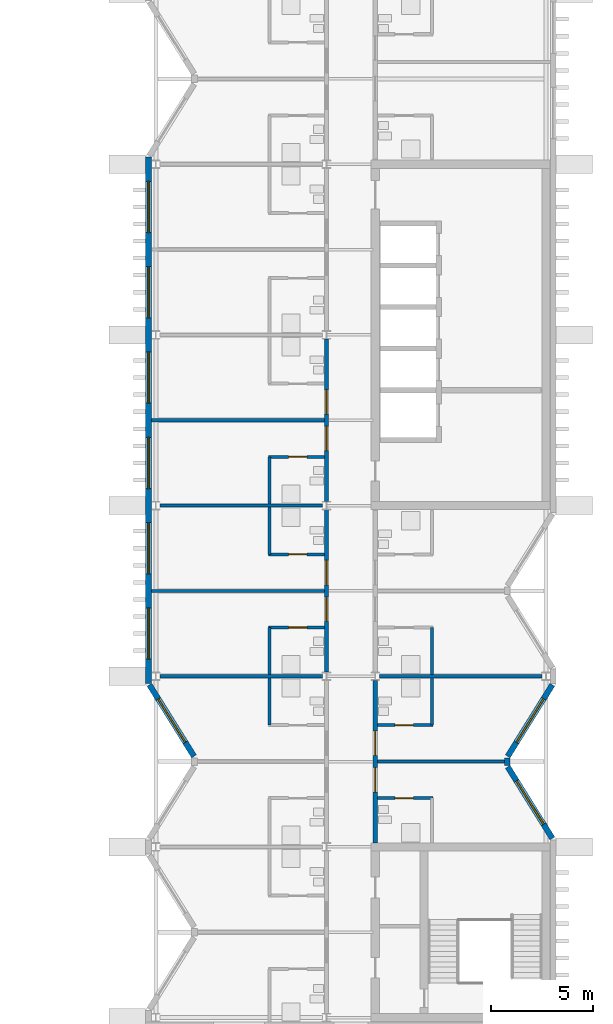
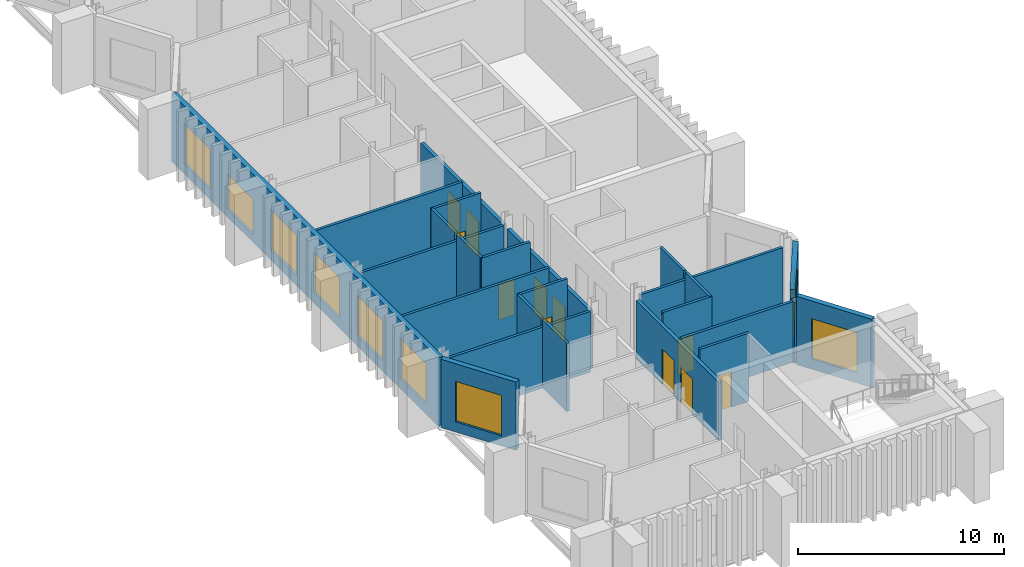
# One storey, part 10 of 17: 25 walls, 11 doors, 9 windows, 20 openings.
"""IFC4 building model written with IfcOpenShell, lengths in metres."""

import ifcopenshell
import ifcopenshell.guid

model = None  # the IFC model being written
_history = None  # IfcOwnerHistory: only IFC2X3 demands one
_inside = {}  # id of a spatial element -> (the spatial element, [elements in it])
_under = {}  # id of a project, library or spatial element -> (it, [spatial elements below it])
_declared = {}  # id of a project -> (the project, [libraries it declares])
_typed = {}  # id of a type object -> (the type object, [elements of that type])
_made_of = {}  # id of a material, layer set ... -> (it, [elements and type objects made of it])


def new_model(schema):
    """Start an empty IFC model of exactly this schema.

    Asked for "IFC4X3", IfcOpenShell would pick the latest addendum, in which some entities
    have other attributes; the version numbers below select the first issue.
    IFC2X3 requires an IfcOwnerHistory on every rooted entity: one is made here for all.
    """
    global model, _history
    if schema == "IFC4X3":
        model = ifcopenshell.file(schema_version=(4, 3, 0, 0))
    else:
        model = ifcopenshell.file(schema=schema)
    _inside.clear()
    _under.clear()
    _declared.clear()
    _typed.clear()
    _made_of.clear()
    _history = None
    if model.schema == "IFC2X3":
        org = make("IfcOrganization", Name="unknown")
        user = make(
            "IfcPersonAndOrganization",
            ThePerson=make("IfcPerson", FamilyName="unknown"),
            TheOrganization=org,
        )
        app = make(
            "IfcApplication",
            ApplicationDeveloper=org,
            Version="unknown",
            ApplicationFullName="unknown",
            ApplicationIdentifier="unknown",
        )
        _history = make(
            "IfcOwnerHistory",
            OwningUser=user,
            OwningApplication=app,
            ChangeAction="ADDED",
            CreationDate=0,
        )
    return model


def make(cls, **values):
    """One entity of the class cls with the attributes given. An attribute that is None is left unset."""
    return model.create_entity(
        cls, **{name: value for name, value in values.items() if value is not None}
    )


def rooted(cls, **values):
    """An entity with a GlobalId (a new one), such as an element, a storey or a relation."""
    return make(cls, GlobalId=ifcopenshell.guid.new(), OwnerHistory=_history, **values)


def si_unit(unit_type, name, prefix=None):
    """IfcSIUnit, for example si_unit("LENGTHUNIT", "METRE", prefix="MILLI")."""
    return make("IfcSIUnit", UnitType=unit_type, Prefix=prefix, Name=name)


def assignment(units):
    """IfcUnitAssignment: the units of a project."""
    return None if units is None else make("IfcUnitAssignment", Units=units)


def point(xyz):
    """IfcCartesianPoint."""
    return None if xyz is None else make("IfcCartesianPoint", Coordinates=xyz)


def direction(xyz):
    """IfcDirection."""
    return None if xyz is None else make("IfcDirection", DirectionRatios=xyz)


def frame(location, z_axis=None, x_axis=None):
    """IfcAxis2Placement3D, a coordinate frame: its origin and axes. An axis left out is left unset."""
    return make(
        "IfcAxis2Placement3D",
        Location=point(location),
        Axis=direction(z_axis),
        RefDirection=direction(x_axis),
    )


def frame_2d(location, x_axis=None):
    """IfcAxis2Placement2D, a coordinate frame in the plane: its origin and x axis."""
    return make(
        "IfcAxis2Placement2D", Location=point(location), RefDirection=direction(x_axis)
    )


def origin():
    """The frame at (0, 0, 0) with its axes left unset."""
    return frame((0.0, 0.0, 0.0))


def place(relative_to, where):
    """IfcLocalPlacement: puts the frame where relative to a parent placement (None: the world)."""
    return make(
        "IfcLocalPlacement", PlacementRelTo=relative_to, RelativePlacement=where
    )


def context(
    kind, dimensions, precision=None, world=None, true_north=None, identifier=None
):
    """IfcGeometricRepresentationContext, for example the 3D "Model" context."""
    return make(
        "IfcGeometricRepresentationContext",
        ContextIdentifier=identifier,
        ContextType=kind,
        CoordinateSpaceDimension=dimensions,
        Precision=precision,
        WorldCoordinateSystem=world,
        TrueNorth=true_north,
    )


def subcontext(parent, identifier, kind, view, scale=None):
    """IfcGeometricRepresentationSubContext, for example "Body" below "Model"."""
    return make(
        "IfcGeometricRepresentationSubContext",
        ContextIdentifier=identifier,
        ContextType=kind,
        ParentContext=parent,
        TargetScale=scale,
        TargetView=view,
    )


def project(units=None, contexts=None):
    """IfcProject with its units and contexts."""
    return rooted(
        "IfcProject",
        Name="project",
        RepresentationContexts=contexts,
        UnitsInContext=assignment(units),
    )


def spatial(cls, under=None, at=None, **own):
    """A site, building, storey or space (cls), placed at a placement, below another one or the project."""
    s = rooted(cls, ObjectPlacement=at, **own)
    if under is not None:
        _under.setdefault(under.id(), (under, []))[1].append(s)
    return s


def profile(cls, at=None, kind="AREA", **sizes):
    """A parametric profile (cls). Its sizes go by their IFC names, for example OverallWidth=200.0."""
    return make(cls, ProfileType=kind, Position=at, **sizes)


def rectangle(**sizes):
    """IfcRectangleProfileDef."""
    return profile("IfcRectangleProfileDef", **sizes)


def extrude(swept, where, along, depth):
    """IfcExtrudedAreaSolid: the profile swept, set in the frame where, extruded along a direction by depth."""
    return make(
        "IfcExtrudedAreaSolid",
        SweptArea=swept,
        Position=where,
        ExtrudedDirection=direction(along),
        Depth=depth,
    )


def shape(context_of_items, identifier, shape_type, items):
    """IfcShapeRepresentation: the items that make up one representation, for example the "Body"."""
    return make(
        "IfcShapeRepresentation",
        ContextOfItems=context_of_items,
        RepresentationIdentifier=identifier,
        RepresentationType=shape_type,
        Items=items,
    )


def material(Name=None, Category=None):
    """IfcMaterial."""
    return make("IfcMaterial", Name=Name, Category=Category)


def layer(
    of_material, thickness, ventilated=None, Name=None, Category=None, Priority=None
):
    """IfcMaterialLayer: one layer of a wall or slab, of a material (None: an air gap)."""
    return make(
        "IfcMaterialLayer",
        Material=of_material,
        LayerThickness=thickness,
        IsVentilated=ventilated,
        Name=Name,
        Category=Category,
        Priority=Priority,
    )


def layer_set(layers, Name=None):
    """IfcMaterialLayerSet."""
    return make("IfcMaterialLayerSet", MaterialLayers=layers, LayerSetName=Name)


def made_of(thing, what):
    """Note that an element or type object is made of a material, layer set ...; save() writes the relation."""
    if what is not None:
        _made_of.setdefault(what.id(), (what, []))[1].append(thing)
    return thing


def type_object(cls, material=None, **own):
    """A type object (cls), such as IfcWallType, which elements share."""
    return made_of(rooted(cls, **own), material)


def element(
    cls,
    number,
    at=None,
    inside=None,
    cuts=None,
    type_object=None,
    material=None,
    context=None,
    identifier="Body",
    shape_type=None,
    held_by="IfcProductDefinitionShape",
    body=None,
    shapes=None,
    **own,
):
    """One element of the class cls, such as IfcWall. Its Tag is "e" and its number.

    at: its placement. inside: the storey or other place that contains it. cuts: it is an
    opening in that element (IfcRelVoidsElement). A single representation is given by context,
    identifier, shape_type and body (its items); several are given by shapes. held_by: the class
    of the entity that holds the representations. save() writes the other relations.
    """
    e = rooted(cls, Tag="e%d" % number, ObjectPlacement=at, **own)
    if body is not None:
        shapes = [shape(context, identifier, shape_type, body)]
    if shapes is not None:
        e.Representation = make(held_by, Representations=shapes)
    if inside is not None:
        _inside.setdefault(inside.id(), (inside, []))[1].append(e)
    if cuts is not None:
        rooted(
            "IfcRelVoidsElement", RelatingBuildingElement=cuts, RelatedOpeningElement=e
        )
    if type_object is not None:
        _typed.setdefault(type_object.id(), (type_object, []))[1].append(e)
    return made_of(e, material)


def fill(opening, filler):
    """IfcRelFillsElement: the door or window that sits in an opening."""
    return rooted(
        "IfcRelFillsElement",
        RelatingOpeningElement=opening,
        RelatedBuildingElement=filler,
    )


def aggregate(whole, parts):
    """IfcRelAggregates: a whole, such as a stair, and the parts it consists of."""
    return rooted("IfcRelAggregates", RelatingObject=whole, RelatedObjects=parts)


def save(model, path):
    """Write the relations noted so far, then the file.

    IfcRelAggregates (storeys below a building ...), IfcRelContainedInSpatialStructure (elements
    in a storey), IfcRelDefinesByType, IfcRelAssociatesMaterial and IfcRelDeclares: one each for
    every whole, place, type object, material and project.
    """
    for whole, parts in _under.values():
        aggregate(whole, parts)
    for where, things in _inside.values():
        rooted(
            "IfcRelContainedInSpatialStructure",
            RelatedElements=things,
            RelatingStructure=where,
        )
    for kind, things in _typed.values():
        rooted("IfcRelDefinesByType", RelatedObjects=things, RelatingType=kind)
    for what, things in _made_of.values():
        rooted("IfcRelAssociatesMaterial", RelatedObjects=things, RelatingMaterial=what)
    for by, libraries in _declared.values():
        rooted("IfcRelDeclares", RelatingContext=by, RelatedDefinitions=libraries)
    model.write(path)


model = new_model("IFC4")

# Units and contexts
model_context = context("Model", 3, precision=1e-05, world=origin(), true_north=direction((0.0, 1.0)))
body_context = subcontext(model_context, "Body", "Model", "MODEL_VIEW")
ifc_project = project(units=[si_unit("LENGTHUNIT", "METRE"), si_unit("AREAUNIT", "SQUARE_METRE"), si_unit("VOLUMEUNIT", "CUBIC_METRE"), si_unit("PLANEANGLEUNIT", "RADIAN"), si_unit("MASSUNIT", "GRAM", prefix="KILO")], contexts=[model_context])

# Site, building, storey
site_placement = place(None, origin())
site = spatial("IfcSite", under=ifc_project, at=site_placement, CompositionType="ELEMENT")
building_placement = place(site_placement, origin())
building = spatial("IfcBuilding", under=site, at=building_placement, Name="Cresset Court Congress Hotel", CompositionType="ELEMENT")
storey_placement = place(building_placement, frame((0.0, 0.0, 31.199951171875)))
storey = spatial("IfcBuildingStorey", under=building, at=storey_placement, Name="L07", CompositionType="ELEMENT", Elevation=31.199951171875)

# Wall, openings, doors
ifc_material_1 = material(Name="Gypsum board partition")
ifc_layer_1 = layer(ifc_material_1, 0.199951171875)
ifc_layer_set_1 = layer_set([ifc_layer_1], Name="Corridor wall 200")
wall_type_1 = type_object("IfcWallType", Name="Corridor wall 200", PredefinedType="PARTITIONING", material=ifc_layer_set_1)
wall_1_placement = place(storey_placement, frame((165.60009765625, 17.0, 0.0), z_axis=(0.0, 0.0, 1.0), x_axis=(0.0, 1.0, 0.0)))
wall_1 = element("IfcWall", 1, at=wall_1_placement, inside=storey, type_object=wall_type_1, Name="A.wl.L07.072", PredefinedType="PARTITIONING", context=body_context, shape_type="SweptSolid", body=[
    extrude(rectangle(XDim=8.0, YDim=0.199951171875, at=frame_2d((4.0, 0.0))), origin(), (0.0, 0.0, 1.0), 3.449951171875),
])
opening_1_placement = place(wall_1_placement, frame((2.5, 0.0, 0.0)))
opening_1 = element("IfcOpeningElement", 2, at=opening_1_placement, cuts=wall_1, Name="Opening DA-07-10", PredefinedType="OPENING", context=body_context, shape_type="SweptSolid", body=[
    extrude(rectangle(XDim=1.199951171875, YDim=2.10009765625, at=frame_2d((0.60009765625, 1.050048828125))), frame((0.0, 0.10986328125, 0.0), z_axis=(0.0, -1.0, 0.0), x_axis=(1.0, 0.0, 0.0)), (0.0, 0.0, 1.0), 0.219970703125),
])
opening_2_placement = place(wall_1_placement, frame((4.300048828125, 0.0, 0.0)))
opening_2 = element("IfcOpeningElement", 3, at=opening_2_placement, cuts=wall_1, Name="Opening DA-07-12", PredefinedType="OPENING", context=body_context, shape_type="SweptSolid", body=[
    extrude(rectangle(XDim=1.199951171875, YDim=2.10009765625, at=frame_2d((0.60009765625, 1.050048828125))), frame((0.0, 0.10986328125, 0.0), z_axis=(0.0, -1.0, 0.0), x_axis=(1.0, 0.0, 0.0)), (0.0, 0.0, 1.0), 0.219970703125),
])
ifc_material_2 = material(Name="timber", Category="wood")
door_type_1 = type_object("IfcDoorType", Name="Guest-room entry door 1200x2100 FD30S", OperationType="SINGLE_SWING_LEFT", PredefinedType="DOOR", material=ifc_material_2)
door_1_placement = place(opening_1_placement, origin())
door_1 = element("IfcDoor", 4, at=door_1_placement, inside=storey, type_object=door_type_1, Name="Door DA-07-10", OperationType="SINGLE_SWING_RIGHT", OverallHeight=2.10009765625, OverallWidth=1.199951171875, PredefinedType="DOOR", context=body_context, shape_type="SweptSolid", body=[
    extrude(rectangle(XDim=1.199951171875, YDim=2.10009765625, at=frame_2d((0.60009765625, 1.050048828125))), frame((0.0, 0.02490234375, 0.0), z_axis=(0.0, -1.0, 0.0), x_axis=(1.0, 0.0, 0.0)), (0.0, 0.0, 1.0), 0.050048828125),
])
fill(opening_1, door_1)
door_2_placement = place(opening_2_placement, origin())
door_2 = element("IfcDoor", 5, at=door_2_placement, inside=storey, type_object=door_type_1, Name="Door DA-07-12", OperationType="SINGLE_SWING_LEFT", OverallHeight=2.10009765625, OverallWidth=1.199951171875, PredefinedType="DOOR", context=body_context, shape_type="SweptSolid", body=[
    extrude(rectangle(XDim=1.199951171875, YDim=2.10009765625, at=frame_2d((0.60009765625, 1.050048828125))), frame((0.0, 0.02490234375, 0.0), z_axis=(0.0, -1.0, 0.0), x_axis=(1.0, 0.0, 0.0)), (0.0, 0.0, 1.0), 0.050048828125),
])
fill(opening_2, door_2)

wall_2_placement = place(storey_placement, frame((165.60009765625, 25.39990234375, 0.0), z_axis=(0.0, 0.0, 1.0), x_axis=(0.0, 1.0, 0.0)))
wall_2 = element("IfcWall", 6, at=wall_2_placement, inside=storey, type_object=wall_type_1, Name="A.wl.L07.073", PredefinedType="PARTITIONING", context=body_context, shape_type="SweptSolid", body=[
    extrude(rectangle(XDim=8.0, YDim=0.199951171875, at=frame_2d((4.0, 0.0))), origin(), (0.0, 0.0, 1.0), 3.449951171875),
])
opening_3_placement = place(wall_2_placement, frame((2.5, 0.0, 0.0)))
opening_3 = element("IfcOpeningElement", 7, at=opening_3_placement, cuts=wall_2, Name="Opening DA-07-14", PredefinedType="OPENING", context=body_context, shape_type="SweptSolid", body=[
    extrude(rectangle(XDim=1.199951171875, YDim=2.10009765625, at=frame_2d((0.60009765625, 1.050048828125))), frame((0.0, 0.10986328125, 0.0), z_axis=(0.0, -1.0, 0.0), x_axis=(1.0, 0.0, 0.0)), (0.0, 0.0, 1.0), 0.219970703125),
])
opening_4_placement = place(wall_2_placement, frame((4.300048828125, 0.0, 0.0)))
opening_4 = element("IfcOpeningElement", 8, at=opening_4_placement, cuts=wall_2, Name="Opening DA-07-16", PredefinedType="OPENING", context=body_context, shape_type="SweptSolid", body=[
    extrude(rectangle(XDim=1.199951171875, YDim=2.10009765625, at=frame_2d((0.60009765625, 1.050048828125))), frame((0.0, 0.10986328125, 0.0), z_axis=(0.0, -1.0, 0.0), x_axis=(1.0, 0.0, 0.0)), (0.0, 0.0, 1.0), 0.219970703125),
])
door_3_placement = place(opening_3_placement, origin())
door_3 = element("IfcDoor", 9, at=door_3_placement, inside=storey, type_object=door_type_1, Name="Door DA-07-14", OperationType="SINGLE_SWING_RIGHT", OverallHeight=2.10009765625, OverallWidth=1.199951171875, PredefinedType="DOOR", context=body_context, shape_type="SweptSolid", body=[
    extrude(rectangle(XDim=1.199951171875, YDim=2.10009765625, at=frame_2d((0.60009765625, 1.050048828125))), frame((0.0, 0.02490234375, 0.0), z_axis=(0.0, -1.0, 0.0), x_axis=(1.0, 0.0, 0.0)), (0.0, 0.0, 1.0), 0.050048828125),
])
fill(opening_3, door_3)
door_4_placement = place(opening_4_placement, origin())
door_4 = element("IfcDoor", 10, at=door_4_placement, inside=storey, type_object=door_type_1, Name="Door DA-07-16", OperationType="SINGLE_SWING_LEFT", OverallHeight=2.10009765625, OverallWidth=1.199951171875, PredefinedType="DOOR", context=body_context, shape_type="SweptSolid", body=[
    extrude(rectangle(XDim=1.199951171875, YDim=2.10009765625, at=frame_2d((0.60009765625, 1.050048828125))), frame((0.0, 0.02490234375, 0.0), z_axis=(0.0, -1.0, 0.0), x_axis=(1.0, 0.0, 0.0)), (0.0, 0.0, 1.0), 0.050048828125),
])
fill(opening_4, door_4)

wall_3_placement = place(storey_placement, frame((168.0, 8.60009765625, 0.0), z_axis=(0.0, 0.0, 1.0), x_axis=(0.0, 1.0, 0.0)))
wall_3 = element("IfcWall", 11, at=wall_3_placement, inside=storey, type_object=wall_type_1, Name="A.wl.L07.078", PredefinedType="PARTITIONING", context=body_context, shape_type="SweptSolid", body=[
    extrude(rectangle(XDim=8.0, YDim=0.199951171875, at=frame_2d((4.0, 0.0))), origin(), (0.0, 0.0, 1.0), 3.449951171875),
])
opening_5_placement = place(wall_3_placement, frame((2.5, 0.0, 0.0)))
opening_5 = element("IfcOpeningElement", 12, at=opening_5_placement, cuts=wall_3, Name="Opening DA-07-34", PredefinedType="OPENING", context=body_context, shape_type="SweptSolid", body=[
    extrude(rectangle(XDim=1.199951171875, YDim=2.10009765625, at=frame_2d((0.60009765625, 1.050048828125))), frame((0.0, 0.10986328125, 0.0), z_axis=(0.0, -1.0, 0.0), x_axis=(1.0, 0.0, 0.0)), (0.0, 0.0, 1.0), 0.219970703125),
])
opening_6_placement = place(wall_3_placement, frame((4.300048828125, 0.0, 0.0)))
opening_6 = element("IfcOpeningElement", 13, at=opening_6_placement, cuts=wall_3, Name="Opening DA-07-36", PredefinedType="OPENING", context=body_context, shape_type="SweptSolid", body=[
    extrude(rectangle(XDim=1.199951171875, YDim=2.10009765625, at=frame_2d((0.60009765625, 1.050048828125))), frame((0.0, 0.10986328125, 0.0), z_axis=(0.0, -1.0, 0.0), x_axis=(1.0, 0.0, 0.0)), (0.0, 0.0, 1.0), 0.219970703125),
])
door_5_placement = place(opening_5_placement, origin())
door_5 = element("IfcDoor", 14, at=door_5_placement, inside=storey, type_object=door_type_1, Name="Door DA-07-34", OperationType="SINGLE_SWING_RIGHT", OverallHeight=2.10009765625, OverallWidth=1.199951171875, PredefinedType="DOOR", context=body_context, shape_type="SweptSolid", body=[
    extrude(rectangle(XDim=1.199951171875, YDim=2.10009765625, at=frame_2d((0.60009765625, 1.050048828125))), frame((0.0, 0.02490234375, 0.0), z_axis=(0.0, -1.0, 0.0), x_axis=(1.0, 0.0, 0.0)), (0.0, 0.0, 1.0), 0.050048828125),
])
fill(opening_5, door_5)
door_6_placement = place(opening_6_placement, origin())
door_6 = element("IfcDoor", 15, at=door_6_placement, inside=storey, type_object=door_type_1, Name="Door DA-07-36", OperationType="SINGLE_SWING_LEFT", OverallHeight=2.10009765625, OverallWidth=1.199951171875, PredefinedType="DOOR", context=body_context, shape_type="SweptSolid", body=[
    extrude(rectangle(XDim=1.199951171875, YDim=2.10009765625, at=frame_2d((0.60009765625, 1.050048828125))), frame((0.0, 0.02490234375, 0.0), z_axis=(0.0, -1.0, 0.0), x_axis=(1.0, 0.0, 0.0)), (0.0, 0.0, 1.0), 0.050048828125),
])
fill(opening_6, door_6)

# Walls
ifc_material_3 = material(Name="Gypsum board partition")
ifc_layer_2 = layer(ifc_material_3, 0.14990234375)
ifc_layer_set_2 = layer_set([ifc_layer_2], Name="En-suite wall 150")
wall_type_2 = type_object("IfcWallType", Name="En-suite wall 150", PredefinedType="PARTITIONING", material=ifc_layer_set_2)
wall_4_placement = place(storey_placement, frame((162.800048828125, 14.39990234375, 0.0), z_axis=(0.0, 0.0, 1.0), x_axis=(0.0, 1.0, 0.0)))
element("IfcWall", 16, at=wall_4_placement, inside=storey, type_object=wall_type_2, Name="A.wl.L07.007", PredefinedType="PARTITIONING", context=body_context, shape_type="SweptSolid", body=[
    extrude(rectangle(XDim=2.3251953125, YDim=0.14990234375, at=frame_2d((1.16259765625, 0.0))), origin(), (0.0, 0.0, 1.0), 4.050048828125),
])
wall_5_placement = place(storey_placement, frame((162.800048828125, 16.875, 0.0), z_axis=(0.0, 0.0, 1.0), x_axis=(0.0, 1.0, 0.0)))
element("IfcWall", 17, at=wall_5_placement, inside=storey, type_object=wall_type_2, Name="A.wl.L07.009", PredefinedType="PARTITIONING", context=body_context, shape_type="SweptSolid", body=[
    extrude(rectangle(XDim=2.324951171875, YDim=0.14990234375, at=frame_2d((1.16259765625, 0.0))), origin(), (0.0, 0.0, 1.0), 4.050048828125),
])

# Wall, opening, door
wall_6_placement = place(storey_placement, frame((162.75, 19.199951171875, 0.0), z_axis=(0.0, 0.0, 1.0), x_axis=(1.0, 0.0, 0.0)))
wall_6 = element("IfcWall", 18, at=wall_6_placement, inside=storey, type_object=wall_type_2, Name="A.wl.L07.010", PredefinedType="PARTITIONING", context=body_context, shape_type="SweptSolid", body=[
    extrude(rectangle(XDim=2.75, YDim=0.14990234375, at=frame_2d((1.375, 0.0))), origin(), (0.0, 0.0, 1.0), 4.050048828125),
])
opening_7_placement = place(wall_6_placement, frame((0.97998046875, 0.0, 0.0)))
opening_7 = element("IfcOpeningElement", 19, at=opening_7_placement, cuts=wall_6, Name="Opening DA-07-09", PredefinedType="OPENING", context=body_context, shape_type="SweptSolid", body=[
    extrude(rectangle(XDim=0.89990234375, YDim=2.10009765625, at=frame_2d((0.449951171875, 1.050048828125))), frame((0.0, 0.0849609375, 0.0), z_axis=(0.0, -1.0, 0.0), x_axis=(1.0, 0.0, 0.0)), (0.0, 0.0, 1.0), 0.169921875),
])
ifc_material_4 = material(Name="timber", Category="wood")
door_type_2 = type_object("IfcDoorType", Name="En-suite door 900x2100", OperationType="SINGLE_SWING_LEFT", PredefinedType="DOOR", material=ifc_material_4)
door_7_placement = place(opening_7_placement, origin())
door_7 = element("IfcDoor", 20, at=door_7_placement, inside=storey, type_object=door_type_2, Name="Door DA-07-09", OperationType="SINGLE_SWING_RIGHT", OverallHeight=2.10009765625, OverallWidth=0.89990234375, PredefinedType="DOOR", context=body_context, shape_type="SweptSolid", body=[
    extrude(rectangle(XDim=0.89990234375, YDim=2.10009765625, at=frame_2d((0.449951171875, 1.050048828125))), frame((0.0, 0.02490234375, 0.0), z_axis=(0.0, -1.0, 0.0), x_axis=(1.0, 0.0, 0.0)), (0.0, 0.0, 1.0), 0.050048828125),
])
fill(opening_7, door_7)

# Wall
wall_7_placement = place(storey_placement, frame((162.800048828125, 22.800048828125, 0.0), z_axis=(0.0, 0.0, 1.0), x_axis=(0.0, 1.0, 0.0)))
element("IfcWall", 21, at=wall_7_placement, inside=storey, type_object=wall_type_2, Name="A.wl.L07.011", PredefinedType="PARTITIONING", context=body_context, shape_type="SweptSolid", body=[
    extrude(rectangle(XDim=2.324951171875, YDim=0.14990234375, at=frame_2d((1.16259765625, 0.0))), origin(), (0.0, 0.0, 1.0), 4.050048828125),
])

# Wall, opening, door
wall_8_placement = place(storey_placement, frame((162.75, 22.800048828125, 0.0), z_axis=(0.0, 0.0, 1.0), x_axis=(1.0, 0.0, 0.0)))
wall_8 = element("IfcWall", 22, at=wall_8_placement, inside=storey, type_object=wall_type_2, Name="A.wl.L07.012", PredefinedType="PARTITIONING", context=body_context, shape_type="SweptSolid", body=[
    extrude(rectangle(XDim=2.75, YDim=0.14990234375, at=frame_2d((1.375, 0.0))), origin(), (0.0, 0.0, 1.0), 4.050048828125),
])
opening_8_placement = place(wall_8_placement, frame((0.97998046875, 0.0, 0.0)))
opening_8 = element("IfcOpeningElement", 23, at=opening_8_placement, cuts=wall_8, Name="Opening DA-07-11", PredefinedType="OPENING", context=body_context, shape_type="SweptSolid", body=[
    extrude(rectangle(XDim=0.89990234375, YDim=2.10009765625, at=frame_2d((0.449951171875, 1.050048828125))), frame((0.0, 0.0849609375, 0.0), z_axis=(0.0, -1.0, 0.0), x_axis=(1.0, 0.0, 0.0)), (0.0, 0.0, 1.0), 0.169921875),
])
door_8_placement = place(opening_8_placement, origin())
door_8 = element("IfcDoor", 24, at=door_8_placement, inside=storey, type_object=door_type_2, Name="Door DA-07-11", OperationType="SINGLE_SWING_LEFT", OverallHeight=2.10009765625, OverallWidth=0.89990234375, PredefinedType="DOOR", context=body_context, shape_type="SweptSolid", body=[
    extrude(rectangle(XDim=0.89990234375, YDim=2.10009765625, at=frame_2d((0.449951171875, 1.050048828125))), frame((0.0, 0.02490234375, 0.0), z_axis=(0.0, -1.0, 0.0), x_axis=(1.0, 0.0, 0.0)), (0.0, 0.0, 1.0), 0.050048828125),
])
fill(opening_8, door_8)

# Wall
wall_9_placement = place(storey_placement, frame((162.800048828125, 25.27490234375, 0.0), z_axis=(0.0, 0.0, 1.0), x_axis=(0.0, 1.0, 0.0)))
element("IfcWall", 25, at=wall_9_placement, inside=storey, type_object=wall_type_2, Name="A.wl.L07.013", PredefinedType="PARTITIONING", context=body_context, shape_type="SweptSolid", body=[
    extrude(rectangle(XDim=2.3251953125, YDim=0.14990234375, at=frame_2d((1.16259765625, 0.0))), origin(), (0.0, 0.0, 1.0), 4.050048828125),
])

# Wall, opening, door
wall_10_placement = place(storey_placement, frame((162.75, 27.60009765625, 0.0), z_axis=(0.0, 0.0, 1.0), x_axis=(1.0, 0.0, 0.0)))
wall_10 = element("IfcWall", 26, at=wall_10_placement, inside=storey, type_object=wall_type_2, Name="A.wl.L07.014", PredefinedType="PARTITIONING", context=body_context, shape_type="SweptSolid", body=[
    extrude(rectangle(XDim=2.75, YDim=0.14990234375, at=frame_2d((1.375, 0.0))), origin(), (0.0, 0.0, 1.0), 4.050048828125),
])
opening_9_placement = place(wall_10_placement, frame((0.97998046875, 0.0, 0.0)))
opening_9 = element("IfcOpeningElement", 27, at=opening_9_placement, cuts=wall_10, Name="Opening DA-07-13", PredefinedType="OPENING", context=body_context, shape_type="SweptSolid", body=[
    extrude(rectangle(XDim=0.89990234375, YDim=2.10009765625, at=frame_2d((0.449951171875, 1.050048828125))), frame((0.0, 0.0849609375, 0.0), z_axis=(0.0, -1.0, 0.0), x_axis=(1.0, 0.0, 0.0)), (0.0, 0.0, 1.0), 0.169921875),
])
door_9_placement = place(opening_9_placement, origin())
door_9 = element("IfcDoor", 28, at=door_9_placement, inside=storey, type_object=door_type_2, Name="Door DA-07-13", OperationType="SINGLE_SWING_RIGHT", OverallHeight=2.10009765625, OverallWidth=0.89990234375, PredefinedType="DOOR", context=body_context, shape_type="SweptSolid", body=[
    extrude(rectangle(XDim=0.89990234375, YDim=2.10009765625, at=frame_2d((0.449951171875, 1.050048828125))), frame((0.0, 0.02490234375, 0.0), z_axis=(0.0, -1.0, 0.0), x_axis=(1.0, 0.0, 0.0)), (0.0, 0.0, 1.0), 0.050048828125),
])
fill(opening_9, door_9)

wall_11_placement = place(storey_placement, frame((170.85009765625, 10.800048828125, 0.0), z_axis=(0.0, 0.0, 1.0), x_axis=(-1.0, 0.0, 0.0)))
wall_11 = element("IfcWall", 29, at=wall_11_placement, inside=storey, type_object=wall_type_2, Name="A.wl.L07.034", PredefinedType="PARTITIONING", context=body_context, shape_type="SweptSolid", body=[
    extrude(rectangle(XDim=2.75, YDim=0.14990234375, at=frame_2d((1.375, 0.0))), origin(), (0.0, 0.0, 1.0), 4.050048828125),
])
opening_10_placement = place(wall_11_placement, frame((0.97998046875, 0.0, 0.0)))
opening_10 = element("IfcOpeningElement", 30, at=opening_10_placement, cuts=wall_11, Name="Opening DA-07-33", PredefinedType="OPENING", context=body_context, shape_type="SweptSolid", body=[
    extrude(rectangle(XDim=0.89990234375, YDim=2.10009765625, at=frame_2d((0.449951171875, 1.050048828125))), frame((0.0, 0.0849609375, 0.0), z_axis=(0.0, -1.0, 0.0), x_axis=(1.0, 0.0, 0.0)), (0.0, 0.0, 1.0), 0.169921875),
])
door_10_placement = place(opening_10_placement, origin())
door_10 = element("IfcDoor", 31, at=door_10_placement, inside=storey, type_object=door_type_2, Name="Door DA-07-33", OperationType="SINGLE_SWING_RIGHT", OverallHeight=2.10009765625, OverallWidth=0.89990234375, PredefinedType="DOOR", context=body_context, shape_type="SweptSolid", body=[
    extrude(rectangle(XDim=0.89990234375, YDim=2.10009765625, at=frame_2d((0.449951171875, 1.050048828125))), frame((0.0, 0.02490234375, 0.0), z_axis=(0.0, -1.0, 0.0), x_axis=(1.0, 0.0, 0.0)), (0.0, 0.0, 1.0), 0.050048828125),
])
fill(opening_10, door_10)

# Wall
wall_12_placement = place(storey_placement, frame((170.800048828125, 14.39990234375, 0.0), z_axis=(0.0, 0.0, 1.0), x_axis=(0.0, 1.0, 0.0)))
element("IfcWall", 32, at=wall_12_placement, inside=storey, type_object=wall_type_2, Name="A.wl.L07.035", PredefinedType="PARTITIONING", context=body_context, shape_type="SweptSolid", body=[
    extrude(rectangle(XDim=2.3251953125, YDim=0.14990234375, at=frame_2d((1.16259765625, 0.0))), origin(), (0.0, 0.0, 1.0), 4.050048828125),
])

# Wall, opening, door
wall_13_placement = place(storey_placement, frame((170.85009765625, 14.39990234375, 0.0), z_axis=(0.0, 0.0, 1.0), x_axis=(-1.0, 0.0, 0.0)))
wall_13 = element("IfcWall", 33, at=wall_13_placement, inside=storey, type_object=wall_type_2, Name="A.wl.L07.036", PredefinedType="PARTITIONING", context=body_context, shape_type="SweptSolid", body=[
    extrude(rectangle(XDim=2.75, YDim=0.14990234375, at=frame_2d((1.375, 0.0))), origin(), (0.0, 0.0, 1.0), 4.050048828125),
])
opening_11_placement = place(wall_13_placement, frame((0.97998046875, 0.0, 0.0)))
opening_11 = element("IfcOpeningElement", 34, at=opening_11_placement, cuts=wall_13, Name="Opening DA-07-35", PredefinedType="OPENING", context=body_context, shape_type="SweptSolid", body=[
    extrude(rectangle(XDim=0.89990234375, YDim=2.10009765625, at=frame_2d((0.449951171875, 1.050048828125))), frame((0.0, 0.0849609375, 0.0), z_axis=(0.0, -1.0, 0.0), x_axis=(1.0, 0.0, 0.0)), (0.0, 0.0, 1.0), 0.169921875),
])
door_11_placement = place(opening_11_placement, origin())
door_11 = element("IfcDoor", 35, at=door_11_placement, inside=storey, type_object=door_type_2, Name="Door DA-07-35", OperationType="SINGLE_SWING_LEFT", OverallHeight=2.10009765625, OverallWidth=0.89990234375, PredefinedType="DOOR", context=body_context, shape_type="SweptSolid", body=[
    extrude(rectangle(XDim=0.89990234375, YDim=2.10009765625, at=frame_2d((0.449951171875, 1.050048828125))), frame((0.0, 0.02490234375, 0.0), z_axis=(0.0, -1.0, 0.0), x_axis=(1.0, 0.0, 0.0)), (0.0, 0.0, 1.0), 0.050048828125),
])
fill(opening_11, door_11)

# Wall
wall_14_placement = place(storey_placement, frame((170.800048828125, 16.875, 0.0), z_axis=(0.0, 0.0, 1.0), x_axis=(0.0, 1.0, 0.0)))
element("IfcWall", 36, at=wall_14_placement, inside=storey, type_object=wall_type_2, Name="A.wl.L07.037", PredefinedType="PARTITIONING", context=body_context, shape_type="SweptSolid", body=[
    extrude(rectangle(XDim=2.324951171875, YDim=0.14990234375, at=frame_2d((1.16259765625, 0.0))), origin(), (0.0, 0.0, 1.0), 4.050048828125),
])

# Wall, opening, window
ifc_material_5 = material(Name="Precast concrete C50", Category="concrete")
ifc_layer_3 = layer(ifc_material_5, 0.280029296875)
ifc_layer_set_3 = layer_set([ifc_layer_3], Name="External wall 280")
wall_type_3 = type_object("IfcWallType", Name="External wall 280", PredefinedType="SOLIDWALL", material=ifc_layer_set_3)
wall_15_placement = place(storey_placement, frame((159.07861328125, 12.85888671875, 0.0), z_axis=(0.0, 0.0, 1.0), x_axis=(-0.528992500338, 0.848626498871, 0.0)))
wall_15 = element("IfcWall", 37, at=wall_15_placement, inside=storey, type_object=wall_type_3, Name="A.ew.L07.Wn.1.1", PredefinedType="SOLIDWALL", context=body_context, shape_type="SweptSolid", body=[
    extrude(rectangle(XDim=4.14453125, YDim=0.280029296875, at=frame_2d((2.072265625, 0.0))), origin(), (0.0, 0.0, 1.0), 4.050048828125),
])
opening_12_placement = place(wall_15_placement, frame((0.812255859375, 0.0, 0.60009765625)))
opening_12 = element("IfcOpeningElement", 38, at=opening_12_placement, cuts=wall_15, Name="Opening NA-07-04", PredefinedType="OPENING", context=body_context, shape_type="SweptSolid", body=[
    extrude(rectangle(XDim=2.52001953125, YDim=2.39990234375, at=frame_2d((1.260009765625, 1.199951171875))), frame((0.0, 0.14990234375, 0.0), z_axis=(0.0, -1.0, 0.0), x_axis=(1.0, 0.0, 0.0)), (0.0, 0.0, 1.0), 0.300048828125),
])
ifc_material_6 = material(Name="Aluminium and glass", Category="aluminium")
window_type_1 = type_object("IfcWindowType", Name="Window 2520x2400", PartitioningType="SINGLE_PANEL", PredefinedType="WINDOW", material=ifc_material_6)
window_1_placement = place(opening_12_placement, origin())
window_1 = element("IfcWindow", 39, at=window_1_placement, inside=storey, type_object=window_type_1, Name="Window NA-07-04", OverallHeight=2.39990234375, OverallWidth=2.52001953125, PartitioningType="SINGLE_PANEL", PredefinedType="WINDOW", context=body_context, shape_type="SweptSolid", body=[
    extrude(rectangle(XDim=2.52001953125, YDim=2.39990234375, at=frame_2d((1.260009765625, 1.199951171875))), frame((0.0, 0.030029296875, 0.0), z_axis=(0.0, -1.0, 0.0), x_axis=(1.0, 0.0, 0.0)), (0.0, 0.0, 1.0), 0.06005859375),
])
fill(opening_12, window_1)

# Wall, openings, windows
wall_16_placement = place(storey_placement, frame((156.840087890625, 16.449951171875, 0.0), z_axis=(0.0, 0.0, 1.0), x_axis=(0.0, 1.0, 0.0)))
wall_16 = element("IfcWall", 40, at=wall_16_placement, inside=storey, type_object=wall_type_3, Name="A.ew.L07.W.3", PredefinedType="SOLIDWALL", context=body_context, shape_type="SweptSolid", body=[
    extrude(rectangle(XDim=25.900146484375, YDim=0.280029296875, at=frame_2d((12.9501953125, 0.0))), origin(), (0.0, 0.0, 1.0), 4.050048828125),
])
opening_13_placement = place(wall_16_placement, frame((1.18994140625, 0.0, 0.60009765625)))
opening_13 = element("IfcOpeningElement", 41, at=opening_13_placement, cuts=wall_16, Name="Opening NA-07-05", PredefinedType="OPENING", context=body_context, shape_type="SweptSolid", body=[
    extrude(rectangle(XDim=2.52001953125, YDim=2.39990234375, at=frame_2d((1.260009765625, 1.199951171875))), frame((0.0, 0.14990234375, 0.0), z_axis=(0.0, -1.0, 0.0), x_axis=(1.0, 0.0, 0.0)), (0.0, 0.0, 1.0), 0.300048828125),
])
opening_14_placement = place(wall_16_placement, frame((5.389892578125, 0.0, 0.60009765625)))
opening_14 = element("IfcOpeningElement", 42, at=opening_14_placement, cuts=wall_16, Name="Opening NA-07-06", PredefinedType="OPENING", context=body_context, shape_type="SweptSolid", body=[
    extrude(rectangle(XDim=2.52001953125, YDim=2.39990234375, at=frame_2d((1.260009765625, 1.199951171875))), frame((0.0, 0.14990234375, 0.0), z_axis=(0.0, -1.0, 0.0), x_axis=(1.0, 0.0, 0.0)), (0.0, 0.0, 1.0), 0.300048828125),
])
opening_15_placement = place(wall_16_placement, frame((9.590087890625, 0.0, 0.60009765625)))
opening_15 = element("IfcOpeningElement", 43, at=opening_15_placement, cuts=wall_16, Name="Opening NA-07-07", PredefinedType="OPENING", context=body_context, shape_type="SweptSolid", body=[
    extrude(rectangle(XDim=2.52001953125, YDim=2.39990234375, at=frame_2d((1.260009765625, 1.199951171875))), frame((0.0, 0.14990234375, 0.0), z_axis=(0.0, -1.0, 0.0), x_axis=(1.0, 0.0, 0.0)), (0.0, 0.0, 1.0), 0.300048828125),
])
opening_16_placement = place(wall_16_placement, frame((13.7900390625, 0.0, 0.60009765625)))
opening_16 = element("IfcOpeningElement", 44, at=opening_16_placement, cuts=wall_16, Name="Opening NA-07-08", PredefinedType="OPENING", context=body_context, shape_type="SweptSolid", body=[
    extrude(rectangle(XDim=2.52001953125, YDim=2.39990234375, at=frame_2d((1.260009765625, 1.199951171875))), frame((0.0, 0.14990234375, 0.0), z_axis=(0.0, -1.0, 0.0), x_axis=(1.0, 0.0, 0.0)), (0.0, 0.0, 1.0), 0.300048828125),
])
opening_17_placement = place(wall_16_placement, frame((17.989990234375, 0.0, 0.449951171875)))
opening_17 = element("IfcOpeningElement", 45, at=opening_17_placement, cuts=wall_16, Name="Opening NA-07-09", PredefinedType="OPENING", context=body_context, shape_type="SweptSolid", body=[
    extrude(rectangle(XDim=2.52001953125, YDim=2.10009765625, at=frame_2d((1.260009765625, 1.050048828125))), frame((0.0, 0.14990234375, 0.0), z_axis=(0.0, -1.0, 0.0), x_axis=(1.0, 0.0, 0.0)), (0.0, 0.0, 1.0), 0.300048828125),
])
opening_18_placement = place(wall_16_placement, frame((22.18994140625, 0.0, 0.60009765625)))
opening_18 = element("IfcOpeningElement", 46, at=opening_18_placement, cuts=wall_16, Name="Opening NA-07-10", PredefinedType="OPENING", context=body_context, shape_type="SweptSolid", body=[
    extrude(rectangle(XDim=2.52001953125, YDim=2.39990234375, at=frame_2d((1.260009765625, 1.199951171875))), frame((0.0, 0.14990234375, 0.0), z_axis=(0.0, -1.0, 0.0), x_axis=(1.0, 0.0, 0.0)), (0.0, 0.0, 1.0), 0.300048828125),
])
ifc_material_7 = material(Name="Aluminium and glass", Category="aluminium")
window_type_2 = type_object("IfcWindowType", Name="Window 2520x2100", PartitioningType="SINGLE_PANEL", PredefinedType="WINDOW", material=ifc_material_7)
window_2_placement = place(opening_17_placement, origin())
window_2 = element("IfcWindow", 47, at=window_2_placement, inside=storey, type_object=window_type_2, Name="Window NA-07-09", OverallHeight=2.10009765625, OverallWidth=2.52001953125, PartitioningType="SINGLE_PANEL", PredefinedType="WINDOW", context=body_context, shape_type="SweptSolid", body=[
    extrude(rectangle(XDim=2.52001953125, YDim=2.10009765625, at=frame_2d((1.260009765625, 1.050048828125))), frame((0.0, 0.030029296875, 0.0), z_axis=(0.0, -1.0, 0.0), x_axis=(1.0, 0.0, 0.0)), (0.0, 0.0, 1.0), 0.06005859375),
])
fill(opening_17, window_2)
window_3_placement = place(opening_13_placement, origin())
window_3 = element("IfcWindow", 48, at=window_3_placement, inside=storey, type_object=window_type_1, Name="Window NA-07-05", OverallHeight=2.39990234375, OverallWidth=2.52001953125, PartitioningType="SINGLE_PANEL", PredefinedType="WINDOW", context=body_context, shape_type="SweptSolid", body=[
    extrude(rectangle(XDim=2.52001953125, YDim=2.39990234375, at=frame_2d((1.260009765625, 1.199951171875))), frame((0.0, 0.030029296875, 0.0), z_axis=(0.0, -1.0, 0.0), x_axis=(1.0, 0.0, 0.0)), (0.0, 0.0, 1.0), 0.06005859375),
])
fill(opening_13, window_3)
window_4_placement = place(opening_14_placement, origin())
window_4 = element("IfcWindow", 49, at=window_4_placement, inside=storey, type_object=window_type_1, Name="Window NA-07-06", OverallHeight=2.39990234375, OverallWidth=2.52001953125, PartitioningType="SINGLE_PANEL", PredefinedType="WINDOW", context=body_context, shape_type="SweptSolid", body=[
    extrude(rectangle(XDim=2.52001953125, YDim=2.39990234375, at=frame_2d((1.260009765625, 1.199951171875))), frame((0.0, 0.030029296875, 0.0), z_axis=(0.0, -1.0, 0.0), x_axis=(1.0, 0.0, 0.0)), (0.0, 0.0, 1.0), 0.06005859375),
])
fill(opening_14, window_4)
window_5_placement = place(opening_15_placement, origin())
window_5 = element("IfcWindow", 50, at=window_5_placement, inside=storey, type_object=window_type_1, Name="Window NA-07-07", OverallHeight=2.39990234375, OverallWidth=2.52001953125, PartitioningType="SINGLE_PANEL", PredefinedType="WINDOW", context=body_context, shape_type="SweptSolid", body=[
    extrude(rectangle(XDim=2.52001953125, YDim=2.39990234375, at=frame_2d((1.260009765625, 1.199951171875))), frame((0.0, 0.030029296875, 0.0), z_axis=(0.0, -1.0, 0.0), x_axis=(1.0, 0.0, 0.0)), (0.0, 0.0, 1.0), 0.06005859375),
])
fill(opening_15, window_5)
window_6_placement = place(opening_16_placement, origin())
window_6 = element("IfcWindow", 51, at=window_6_placement, inside=storey, type_object=window_type_1, Name="Window NA-07-08", OverallHeight=2.39990234375, OverallWidth=2.52001953125, PartitioningType="SINGLE_PANEL", PredefinedType="WINDOW", context=body_context, shape_type="SweptSolid", body=[
    extrude(rectangle(XDim=2.52001953125, YDim=2.39990234375, at=frame_2d((1.260009765625, 1.199951171875))), frame((0.0, 0.030029296875, 0.0), z_axis=(0.0, -1.0, 0.0), x_axis=(1.0, 0.0, 0.0)), (0.0, 0.0, 1.0), 0.06005859375),
])
fill(opening_16, window_6)
window_7_placement = place(opening_18_placement, origin())
window_7 = element("IfcWindow", 52, at=window_7_placement, inside=storey, type_object=window_type_1, Name="Window NA-07-10", OverallHeight=2.39990234375, OverallWidth=2.52001953125, PartitioningType="SINGLE_PANEL", PredefinedType="WINDOW", context=body_context, shape_type="SweptSolid", body=[
    extrude(rectangle(XDim=2.52001953125, YDim=2.39990234375, at=frame_2d((1.260009765625, 1.199951171875))), frame((0.0, 0.030029296875, 0.0), z_axis=(0.0, -1.0, 0.0), x_axis=(1.0, 0.0, 0.0)), (0.0, 0.0, 1.0), 0.06005859375),
])
fill(opening_18, window_7)

# Wall, opening, window
wall_17_placement = place(storey_placement, frame((176.7138671875, 8.82421875, 0.0), z_axis=(0.0, 0.0, 1.0), x_axis=(-0.529018946142, 0.848610013271, 0.0)))
wall_17 = element("IfcWall", 53, at=wall_17_placement, inside=storey, type_object=wall_type_3, Name="A.ew.L07.En.1.0", PredefinedType="SOLIDWALL", context=body_context, shape_type="SweptSolid", body=[
    extrude(rectangle(XDim=4.144287109375, YDim=0.280029296875, at=frame_2d((2.072265625, 0.0))), origin(), (0.0, 0.0, 1.0), 4.050048828125),
])
opening_19_placement = place(wall_17_placement, frame((0.81201171875, 0.0, 0.60009765625)))
opening_19 = element("IfcOpeningElement", 54, at=opening_19_placement, cuts=wall_17, Name="Opening NA-07-17", PredefinedType="OPENING", context=body_context, shape_type="SweptSolid", body=[
    extrude(rectangle(XDim=2.52001953125, YDim=2.39990234375, at=frame_2d((1.260009765625, 1.199951171875))), frame((0.0, 0.14990234375, 0.0), z_axis=(0.0, -1.0, 0.0), x_axis=(1.0, 0.0, 0.0)), (0.0, 0.0, 1.0), 0.300048828125),
])
window_8_placement = place(opening_19_placement, origin())
window_8 = element("IfcWindow", 55, at=window_8_placement, inside=storey, type_object=window_type_1, Name="Window NA-07-17", OverallHeight=2.39990234375, OverallWidth=2.52001953125, PartitioningType="SINGLE_PANEL", PredefinedType="WINDOW", context=body_context, shape_type="SweptSolid", body=[
    extrude(rectangle(XDim=2.52001953125, YDim=2.39990234375, at=frame_2d((1.260009765625, 1.199951171875))), frame((0.0, 0.030029296875, 0.0), z_axis=(0.0, -1.0, 0.0), x_axis=(1.0, 0.0, 0.0)), (0.0, 0.0, 1.0), 0.06005859375),
])
fill(opening_19, window_8)

wall_18_placement = place(storey_placement, frame((174.521484375, 12.85888671875, 0.0), z_axis=(0.0, 0.0, 1.0), x_axis=(0.528992500338, 0.848626498871, 0.0)))
wall_18 = element("IfcWall", 56, at=wall_18_placement, inside=storey, type_object=wall_type_3, Name="A.ew.L07.En.1.1", PredefinedType="SOLIDWALL", context=body_context, shape_type="SweptSolid", body=[
    extrude(rectangle(XDim=4.14453125, YDim=0.280029296875, at=frame_2d((2.072265625, 0.0))), origin(), (0.0, 0.0, 1.0), 4.050048828125),
])
opening_20_placement = place(wall_18_placement, frame((0.81201171875, 0.0, 0.60009765625)))
opening_20 = element("IfcOpeningElement", 57, at=opening_20_placement, cuts=wall_18, Name="Opening NA-07-18", PredefinedType="OPENING", context=body_context, shape_type="SweptSolid", body=[
    extrude(rectangle(XDim=2.52001953125, YDim=2.39990234375, at=frame_2d((1.260009765625, 1.199951171875))), frame((0.0, 0.14990234375, 0.0), z_axis=(0.0, -1.0, 0.0), x_axis=(1.0, 0.0, 0.0)), (0.0, 0.0, 1.0), 0.300048828125),
])
window_9_placement = place(opening_20_placement, origin())
window_9 = element("IfcWindow", 58, at=window_9_placement, inside=storey, type_object=window_type_1, Name="Window NA-07-18", OverallHeight=2.39990234375, OverallWidth=2.52001953125, PartitioningType="SINGLE_PANEL", PredefinedType="WINDOW", context=body_context, shape_type="SweptSolid", body=[
    extrude(rectangle(XDim=2.52001953125, YDim=2.39990234375, at=frame_2d((1.260009765625, 1.199951171875))), frame((0.0, 0.030029296875, 0.0), z_axis=(0.0, -1.0, 0.0), x_axis=(1.0, 0.0, 0.0)), (0.0, 0.0, 1.0), 0.06005859375),
])
fill(opening_20, window_9)

# Walls
wall_19_placement = place(storey_placement, frame((174.500244140625, 12.4150390625, 0.0), z_axis=(0.0, 0.0, 1.0), x_axis=(0.0, 1.0, 0.0)))
element("IfcWall", 59, at=wall_19_placement, inside=storey, type_object=wall_type_3, Name="A.ew.L07.En.1.2", PredefinedType="SOLIDWALL", context=body_context, shape_type="SweptSolid", body=[
    extrude(rectangle(XDim=0.369873046875, YDim=0.280029296875, at=frame_2d((0.18505859375, 0.0))), origin(), (0.0, 0.0, 1.0), 3.60400390625),
])
ifc_material_8 = material(Name="Gypsum board partition")
ifc_layer_4 = layer(ifc_material_8, 0.14990234375)
ifc_layer_set_4 = layer_set([ifc_layer_4], Name="Guest-room partition 150")
wall_type_4 = type_object("IfcWallType", Name="Guest-room partition 150", PredefinedType="PARTITIONING", material=ifc_layer_set_4)
for number, where, z_axis, x_axis, name in (
    (60, (157.39990234375, 16.800048828125, 0.0), (0.0, 0.0, 1.0), (1.0, 0.0, 0.0), "A.wl.L07.050"),
    (61, (157.39990234375, 25.199951171875, 0.0), (0.0, 0.0, 1.0), (1.0, 0.0, 0.0), "A.wl.L07.051"),
    (62, (168.199951171875, 16.800048828125, 0.0), (0.0, 0.0, 1.0), (1.0, 0.0, 0.0), "A.wl.L07.056"),
):
    element("IfcWall", number, at=place(storey_placement, frame(where, z_axis=z_axis, x_axis=x_axis)), inside=storey, type_object=wall_type_4, Name=name, PredefinedType="PARTITIONING", context=body_context, shape_type="SweptSolid", body=[
        extrude(rectangle(XDim=8.0, YDim=0.14990234375, at=frame_2d((4.0, 0.0))), origin(), (0.0, 0.0, 1.0), 3.60400390625),
    ])
for number, where, z_axis, x_axis, name in (
    (63, (156.97998046875, 21.0, 0.0), (0.0, 0.0, 1.0), (1.0, 0.0, 0.0), "A.wl.L07.060"),
    (64, (156.97998046875, 29.39990234375, 0.0), (0.0, 0.0, 1.0), (1.0, 0.0, 0.0), "A.wl.L07.061"),
):
    element("IfcWall", number, at=place(storey_placement, frame(where, z_axis=z_axis, x_axis=x_axis)), inside=storey, type_object=wall_type_4, Name=name, PredefinedType="PARTITIONING", context=body_context, shape_type="SweptSolid", body=[
        extrude(rectangle(XDim=8.52001953125, YDim=0.14990234375, at=frame_2d((4.260009765625, 0.0))), origin(), (0.0, 0.0, 1.0), 3.60400390625),
    ])
wall_20_placement = place(storey_placement, frame((168.10009765625, 12.60009765625, 0.0), z_axis=(0.0, 0.0, 1.0), x_axis=(1.0, 0.0, 0.0)))
element("IfcWall", 65, at=wall_20_placement, inside=storey, type_object=wall_type_4, Name="A.wl.L07.066", PredefinedType="PARTITIONING", context=body_context, shape_type="SweptSolid", body=[
    extrude(rectangle(XDim=6.26025390625, YDim=0.14990234375, at=frame_2d((3.130126953125, 0.0))), origin(), (0.0, 0.0, 1.0), 3.60400390625),
])

save(model, "model.ifc")
